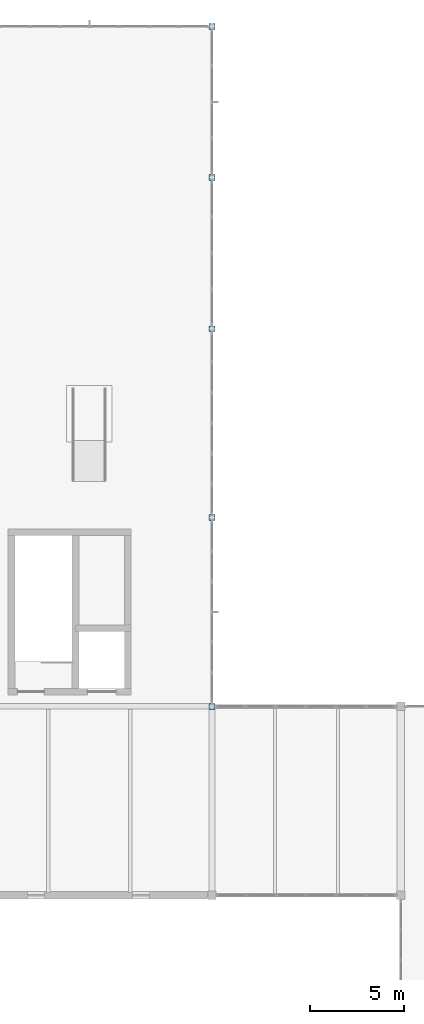
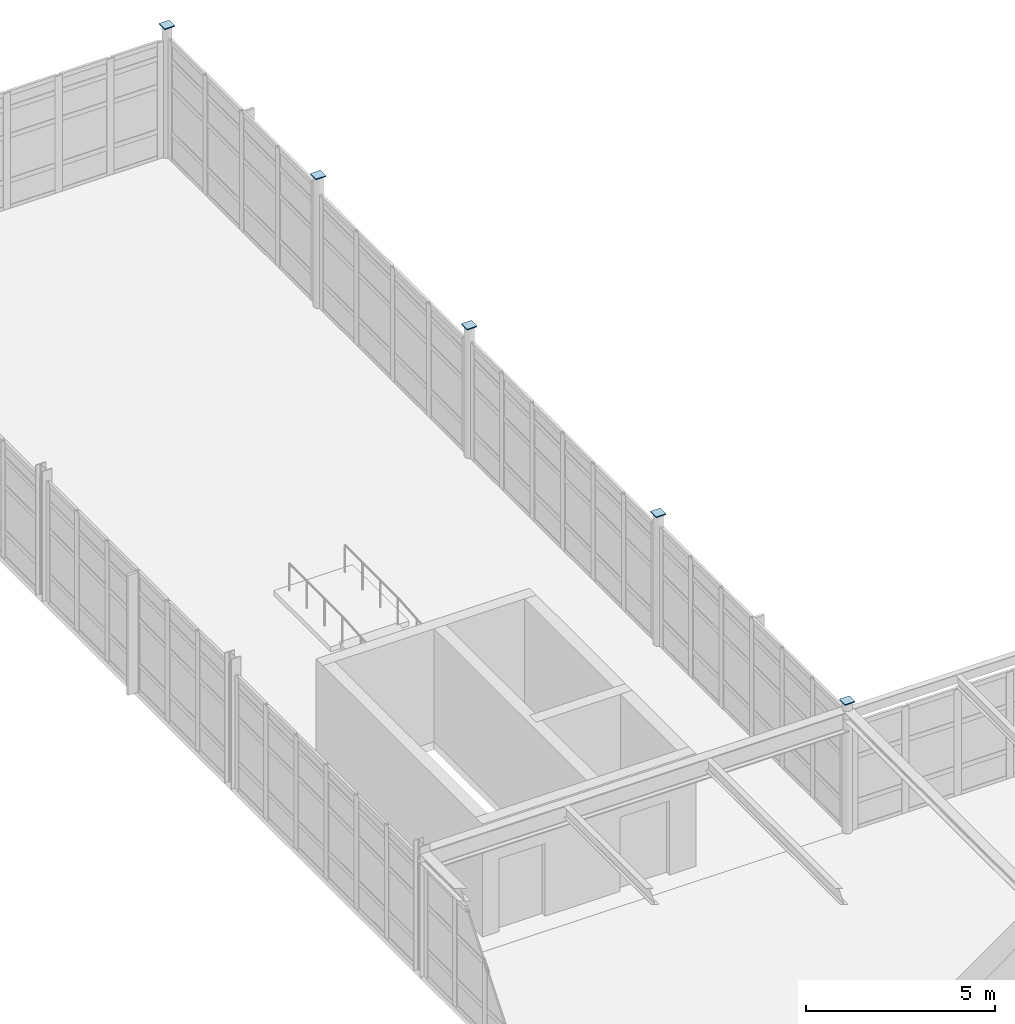
# One storey, part 104 of 122: 5 plates.
"""IFC4 building model written with IfcOpenShell, lengths in metres."""

from ifc_helpers import new_model, si_unit, direction, frame, origin, origin_2d, place, context, subcontext, project, spatial, rectangle, extrude, material, layer, layer_set, type_object, element, save


model = new_model("IFC4")

# Units and contexts
model_context = context("Model", 3, precision=1e-05, world=origin(), true_north=direction((0.0, 1.0)))
body_context = subcontext(model_context, "Body", "Model", "MODEL_VIEW")
ifc_project = project(units=[si_unit("LENGTHUNIT", "METRE"), si_unit("AREAUNIT", "SQUARE_METRE"), si_unit("VOLUMEUNIT", "CUBIC_METRE"), si_unit("PLANEANGLEUNIT", "RADIAN"), si_unit("MASSUNIT", "GRAM", prefix="KILO"), si_unit("THERMODYNAMICTEMPERATUREUNIT", "KELVIN"), si_unit("POWERUNIT", "WATT")], contexts=[model_context])

# Site, building, storey
site_placement = place(None, origin())
site = spatial("IfcSite", under=ifc_project, at=site_placement, CompositionType="ELEMENT")
building_placement = place(site_placement, origin())
building = spatial("IfcBuilding", under=site, at=building_placement, Name="Korenveer Ferry Terminal", CompositionType="ELEMENT")
storey_placement = place(building_placement, frame((0.0, 0.0, 10.199951171875)))
storey = spatial("IfcBuildingStorey", under=building, at=storey_placement, Name="L02", CompositionType="ELEMENT", Elevation=10.199951171875)

# Plates
ifc_material = material(Name="Steel S355", Category="steel")
ifc_layer = layer(ifc_material, 0.031982421875)
ifc_layer_set = layer_set([ifc_layer], Name="Steel S355")
plate_type = type_object("IfcPlateType", Name="STR-PLT-CAP32", PredefinedType="USERDEFINED", material=ifc_layer_set)
for number, where, z_axis, x_axis, name in (
    (1, (136.0, 80.0, 4.2001953125), (0.0, 0.0, 1.0), (1.0, 0.0, 0.0), "Hollow section end cap 72"),
    (2, (136.0, 90.0, 4.2001953125), (0.0, 0.0, 1.0), (1.0, 0.0, 0.0), "Hollow section end cap 73"),
    (3, (136.0, 100.0, 4.2001953125), (0.0, 0.0, 1.0), (1.0, 0.0, 0.0), "Hollow section end cap 74"),
    (4, (136.0, 108.0, 4.2001953125), (0.0, 0.0, 1.0), (1.0, 0.0, 0.0), "Hollow section end cap 75"),
    (5, (136.0, 116.0, 4.2001953125), (0.0, 0.0, 1.0), (1.0, 0.0, 0.0), "Hollow section end cap 76"),
):
    element("IfcPlate", number, at=place(storey_placement, frame(where, z_axis=z_axis, x_axis=x_axis)), inside=storey, type_object=plate_type, Name=name, ObjectType="END CAP PLATE", PredefinedType="USERDEFINED", context=body_context, shape_type="SweptSolid", body=[
        extrude(rectangle(XDim=0.302978515625, YDim=0.302978515625, at=origin_2d()), origin(), (0.0, 0.0, 1.0), 0.031982421875),
    ])

save(model, "model.ifc")
